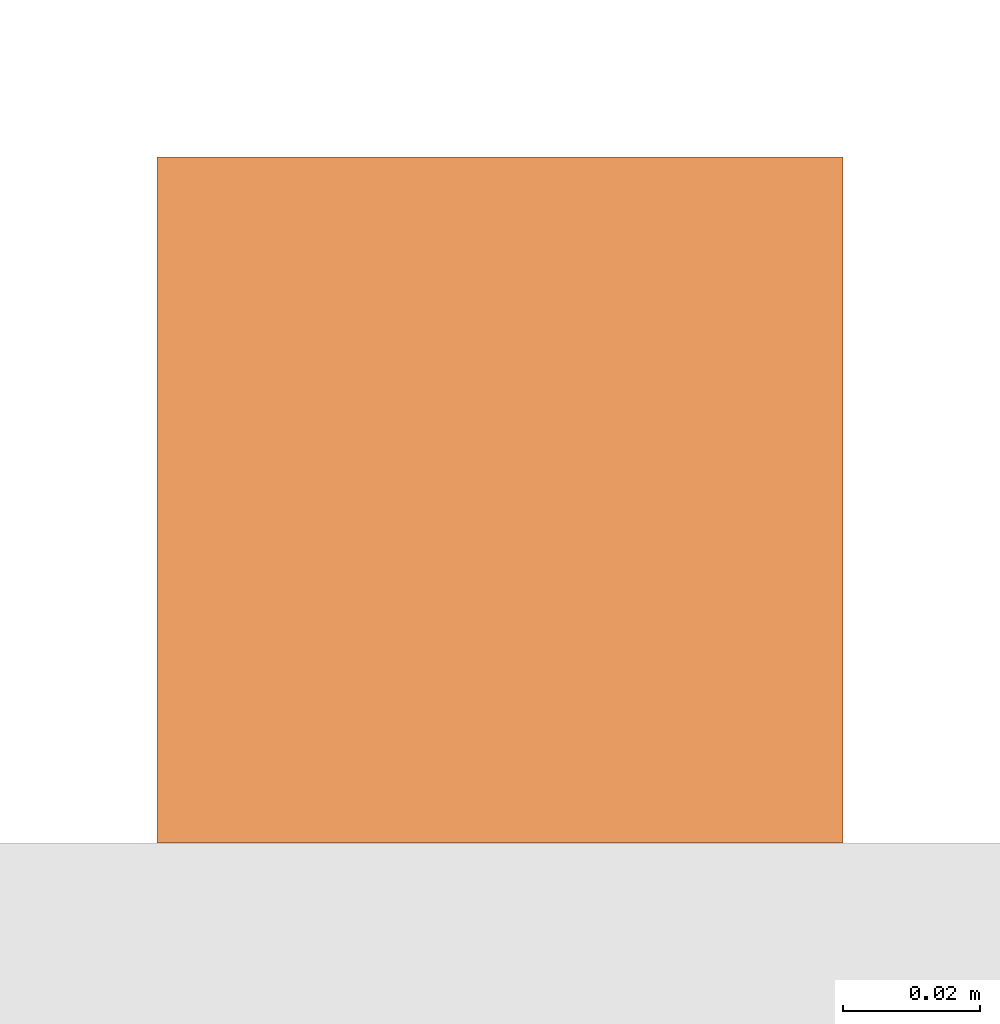
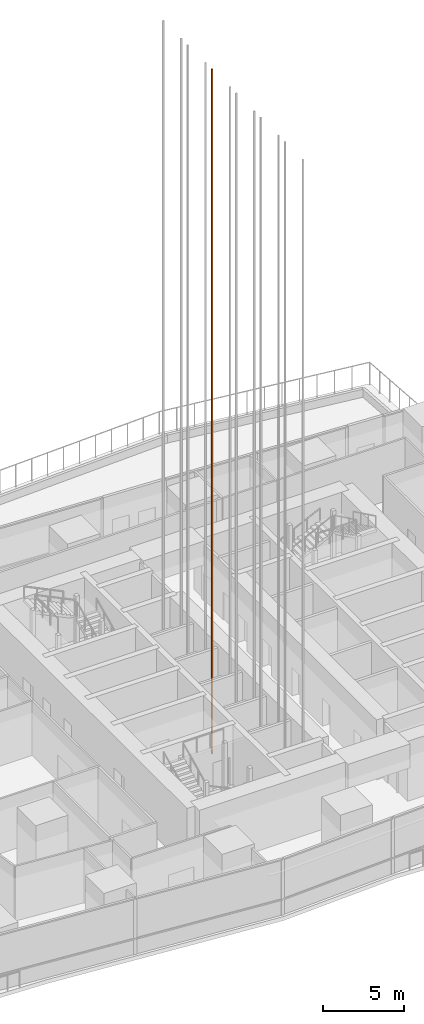
# One storey, part 35 of 39: 1 proxy.
"""IFC4 building model written with IfcOpenShell, lengths in metres."""

import ifcopenshell
import ifcopenshell.guid

model = None  # the IFC model being written
_history = None  # IfcOwnerHistory: only IFC2X3 demands one
_inside = {}  # id of a spatial element -> (the spatial element, [elements in it])
_under = {}  # id of a project, library or spatial element -> (it, [spatial elements below it])
_declared = {}  # id of a project -> (the project, [libraries it declares])
_typed = {}  # id of a type object -> (the type object, [elements of that type])
_made_of = {}  # id of a material, layer set ... -> (it, [elements and type objects made of it])


def new_model(schema):
    """Start an empty IFC model of exactly this schema.

    Asked for "IFC4X3", IfcOpenShell would pick the latest addendum, in which some entities
    have other attributes; the version numbers below select the first issue.
    IFC2X3 requires an IfcOwnerHistory on every rooted entity: one is made here for all.
    """
    global model, _history
    if schema == "IFC4X3":
        model = ifcopenshell.file(schema_version=(4, 3, 0, 0))
    else:
        model = ifcopenshell.file(schema=schema)
    _inside.clear()
    _under.clear()
    _declared.clear()
    _typed.clear()
    _made_of.clear()
    _history = None
    if model.schema == "IFC2X3":
        org = make("IfcOrganization", Name="unknown")
        user = make(
            "IfcPersonAndOrganization",
            ThePerson=make("IfcPerson", FamilyName="unknown"),
            TheOrganization=org,
        )
        app = make(
            "IfcApplication",
            ApplicationDeveloper=org,
            Version="unknown",
            ApplicationFullName="unknown",
            ApplicationIdentifier="unknown",
        )
        _history = make(
            "IfcOwnerHistory",
            OwningUser=user,
            OwningApplication=app,
            ChangeAction="ADDED",
            CreationDate=0,
        )
    return model


def make(cls, **values):
    """One entity of the class cls with the attributes given. An attribute that is None is left unset."""
    return model.create_entity(
        cls, **{name: value for name, value in values.items() if value is not None}
    )


def rooted(cls, **values):
    """An entity with a GlobalId (a new one), such as an element, a storey or a relation."""
    return make(cls, GlobalId=ifcopenshell.guid.new(), OwnerHistory=_history, **values)


def si_unit(unit_type, name, prefix=None):
    """IfcSIUnit, for example si_unit("LENGTHUNIT", "METRE", prefix="MILLI")."""
    return make("IfcSIUnit", UnitType=unit_type, Prefix=prefix, Name=name)


def assignment(units):
    """IfcUnitAssignment: the units of a project."""
    return None if units is None else make("IfcUnitAssignment", Units=units)


def point(xyz):
    """IfcCartesianPoint."""
    return None if xyz is None else make("IfcCartesianPoint", Coordinates=xyz)


def direction(xyz):
    """IfcDirection."""
    return None if xyz is None else make("IfcDirection", DirectionRatios=xyz)


def frame(location, z_axis=None, x_axis=None):
    """IfcAxis2Placement3D, a coordinate frame: its origin and axes. An axis left out is left unset."""
    return make(
        "IfcAxis2Placement3D",
        Location=point(location),
        Axis=direction(z_axis),
        RefDirection=direction(x_axis),
    )


def frame_2d(location, x_axis=None):
    """IfcAxis2Placement2D, a coordinate frame in the plane: its origin and x axis."""
    return make(
        "IfcAxis2Placement2D", Location=point(location), RefDirection=direction(x_axis)
    )


def origin():
    """The frame at (0, 0, 0) with its axes left unset."""
    return frame((0.0, 0.0, 0.0))


def origin_2d():
    """The frame at (0, 0) in the plane with its x axis left unset."""
    return frame_2d((0.0, 0.0))


def place(relative_to, where):
    """IfcLocalPlacement: puts the frame where relative to a parent placement (None: the world)."""
    return make(
        "IfcLocalPlacement", PlacementRelTo=relative_to, RelativePlacement=where
    )


def context(
    kind, dimensions, precision=None, world=None, true_north=None, identifier=None
):
    """IfcGeometricRepresentationContext, for example the 3D "Model" context."""
    return make(
        "IfcGeometricRepresentationContext",
        ContextIdentifier=identifier,
        ContextType=kind,
        CoordinateSpaceDimension=dimensions,
        Precision=precision,
        WorldCoordinateSystem=world,
        TrueNorth=true_north,
    )


def subcontext(parent, identifier, kind, view, scale=None):
    """IfcGeometricRepresentationSubContext, for example "Body" below "Model"."""
    return make(
        "IfcGeometricRepresentationSubContext",
        ContextIdentifier=identifier,
        ContextType=kind,
        ParentContext=parent,
        TargetScale=scale,
        TargetView=view,
    )


def project(units=None, contexts=None):
    """IfcProject with its units and contexts."""
    return rooted(
        "IfcProject",
        Name="project",
        RepresentationContexts=contexts,
        UnitsInContext=assignment(units),
    )


def spatial(cls, under=None, at=None, **own):
    """A site, building, storey or space (cls), placed at a placement, below another one or the project."""
    s = rooted(cls, ObjectPlacement=at, **own)
    if under is not None:
        _under.setdefault(under.id(), (under, []))[1].append(s)
    return s


def profile(cls, at=None, kind="AREA", **sizes):
    """A parametric profile (cls). Its sizes go by their IFC names, for example OverallWidth=200.0."""
    return make(cls, ProfileType=kind, Position=at, **sizes)


def rectangle(**sizes):
    """IfcRectangleProfileDef."""
    return profile("IfcRectangleProfileDef", **sizes)


def extrude(swept, where, along, depth):
    """IfcExtrudedAreaSolid: the profile swept, set in the frame where, extruded along a direction by depth."""
    return make(
        "IfcExtrudedAreaSolid",
        SweptArea=swept,
        Position=where,
        ExtrudedDirection=direction(along),
        Depth=depth,
    )


def shape(context_of_items, identifier, shape_type, items):
    """IfcShapeRepresentation: the items that make up one representation, for example the "Body"."""
    return make(
        "IfcShapeRepresentation",
        ContextOfItems=context_of_items,
        RepresentationIdentifier=identifier,
        RepresentationType=shape_type,
        Items=items,
    )


def material(Name=None, Category=None):
    """IfcMaterial."""
    return make("IfcMaterial", Name=Name, Category=Category)


def made_of(thing, what):
    """Note that an element or type object is made of a material, layer set ...; save() writes the relation."""
    if what is not None:
        _made_of.setdefault(what.id(), (what, []))[1].append(thing)
    return thing


def type_object(cls, material=None, **own):
    """A type object (cls), such as IfcWallType, which elements share."""
    return made_of(rooted(cls, **own), material)


def element(
    cls,
    number,
    at=None,
    inside=None,
    cuts=None,
    type_object=None,
    material=None,
    context=None,
    identifier="Body",
    shape_type=None,
    held_by="IfcProductDefinitionShape",
    body=None,
    shapes=None,
    **own,
):
    """One element of the class cls, such as IfcWall. Its Tag is "e" and its number.

    at: its placement. inside: the storey or other place that contains it. cuts: it is an
    opening in that element (IfcRelVoidsElement). A single representation is given by context,
    identifier, shape_type and body (its items); several are given by shapes. held_by: the class
    of the entity that holds the representations. save() writes the other relations.
    """
    e = rooted(cls, Tag="e%d" % number, ObjectPlacement=at, **own)
    if body is not None:
        shapes = [shape(context, identifier, shape_type, body)]
    if shapes is not None:
        e.Representation = make(held_by, Representations=shapes)
    if inside is not None:
        _inside.setdefault(inside.id(), (inside, []))[1].append(e)
    if cuts is not None:
        rooted(
            "IfcRelVoidsElement", RelatingBuildingElement=cuts, RelatedOpeningElement=e
        )
    if type_object is not None:
        _typed.setdefault(type_object.id(), (type_object, []))[1].append(e)
    return made_of(e, material)


def aggregate(whole, parts):
    """IfcRelAggregates: a whole, such as a stair, and the parts it consists of."""
    return rooted("IfcRelAggregates", RelatingObject=whole, RelatedObjects=parts)


def save(model, path):
    """Write the relations noted so far, then the file.

    IfcRelAggregates (storeys below a building ...), IfcRelContainedInSpatialStructure (elements
    in a storey), IfcRelDefinesByType, IfcRelAssociatesMaterial and IfcRelDeclares: one each for
    every whole, place, type object, material and project.
    """
    for whole, parts in _under.values():
        aggregate(whole, parts)
    for where, things in _inside.values():
        rooted(
            "IfcRelContainedInSpatialStructure",
            RelatedElements=things,
            RelatingStructure=where,
        )
    for kind, things in _typed.values():
        rooted("IfcRelDefinesByType", RelatedObjects=things, RelatingType=kind)
    for what, things in _made_of.values():
        rooted("IfcRelAssociatesMaterial", RelatedObjects=things, RelatingMaterial=what)
    for by, libraries in _declared.values():
        rooted("IfcRelDeclares", RelatingContext=by, RelatedDefinitions=libraries)
    model.write(path)


model = new_model("IFC4")

# Units and contexts
model_context = context("Model", 3, precision=1e-05, world=origin(), true_north=direction((0.0, 1.0)))
body_context = subcontext(model_context, "Body", "Model", "MODEL_VIEW")
ifc_project = project(units=[si_unit("LENGTHUNIT", "METRE"), si_unit("AREAUNIT", "SQUARE_METRE"), si_unit("VOLUMEUNIT", "CUBIC_METRE"), si_unit("PLANEANGLEUNIT", "RADIAN"), si_unit("MASSUNIT", "GRAM", prefix="KILO")], contexts=[model_context])

# Site, building, storey
site_placement = place(None, origin())
site = spatial("IfcSite", under=ifc_project, at=site_placement, CompositionType="ELEMENT")
building_placement = place(site_placement, origin())
building = spatial("IfcBuilding", under=site, at=building_placement, Name="Rekha Terrace Tower", CompositionType="ELEMENT")
storey_placement = place(building_placement, frame((0.0, 0.0, 245.60009765625)))
storey = spatial("IfcBuildingStorey", under=building, at=storey_placement, Name="L62", CompositionType="ELEMENT", Elevation=245.60009765625)

# Proxy
ifc_material = material(Name="Steel guide rail", Category="steel")
building_element_proxy_type = type_object("IfcBuildingElementProxyType", Name="LR1 100 lift guide rail", PredefinedType="ELEMENT", material=ifc_material)
proxy_placement = place(storey_placement, frame((34.5, 35.0, -3.30029296875), z_axis=(0.0, 0.0, 1.0), x_axis=(1.0, 0.0, 0.0)))
element("IfcBuildingElementProxy", 1, at=proxy_placement, inside=storey, type_object=building_element_proxy_type, Name="Lift D4 guide rail 2", PredefinedType="ELEMENT", context=body_context, shape_type="SweptSolid", body=[
    extrude(rectangle(XDim=0.10009765625, YDim=0.10009765625, at=origin_2d()), origin(), (0.0, 0.0, 1.0), 51.449951171875),
])

save(model, "model.ifc")
